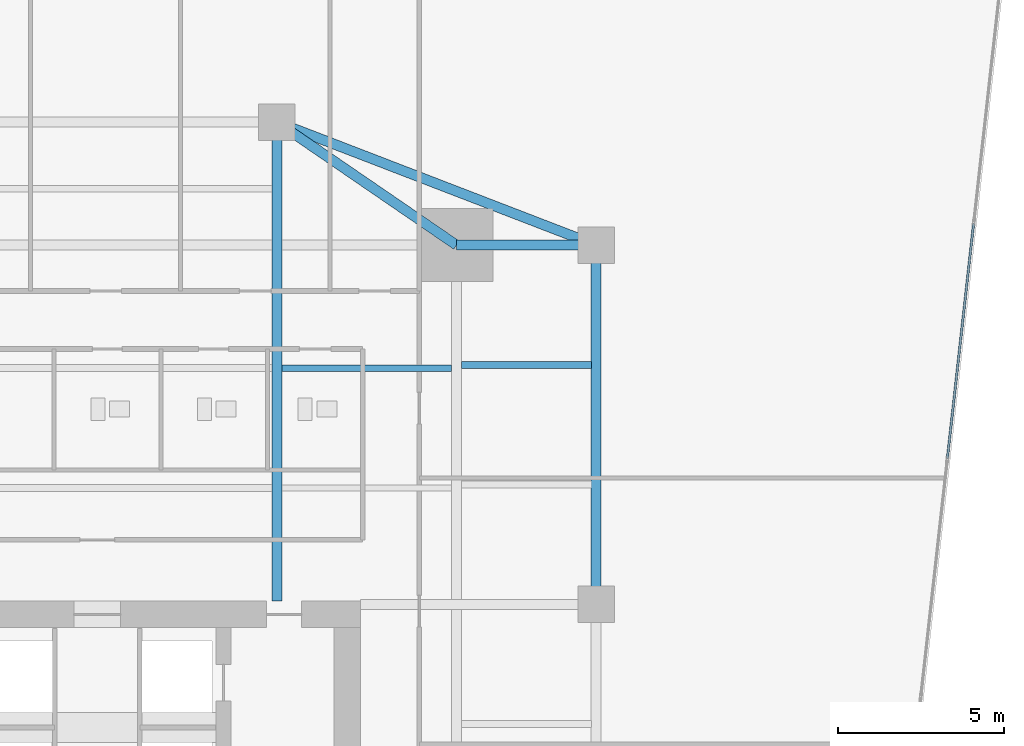
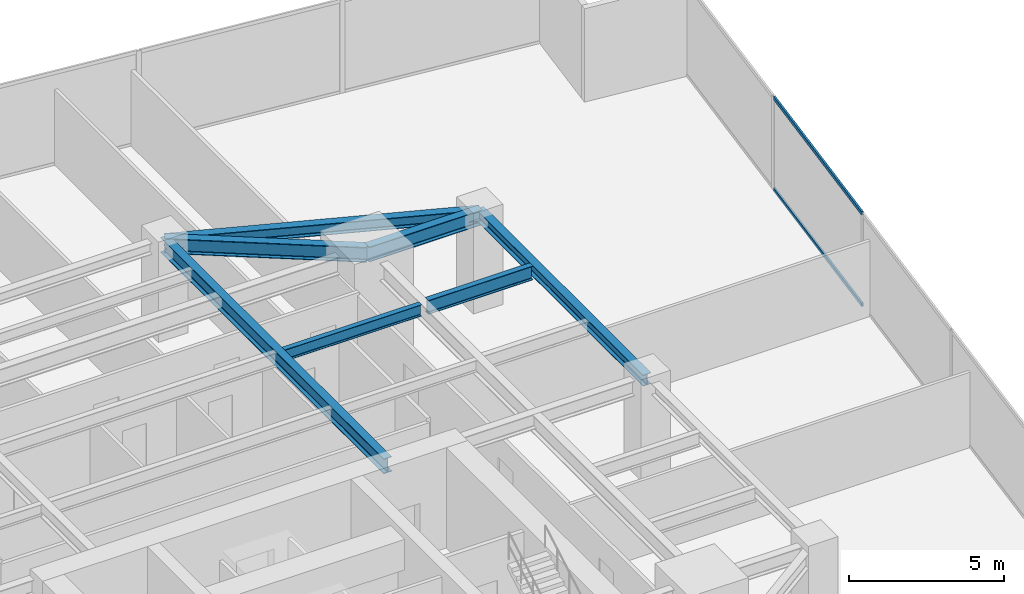
# One storey, part 20 of 29: 7 beams, 2 members, 1 element without a shape of its own.
"""IFC4 building model written with IfcOpenShell, lengths in metres."""

from ifc_helpers import new_model, si_unit, direction, frame, origin, origin_2d, place, context, subcontext, project, spatial, hollow_rectangle, i_section, extrude, source, transform, mapped, material, material_profile, profile_set, type_object, type_shapes, element, aggregate, save


model = new_model("IFC4")

# Units and contexts
model_context = context("Model", 3, precision=1e-05, world=origin(), true_north=direction((0.0, 1.0)))
body_context = subcontext(model_context, "Body", "Model", "MODEL_VIEW")
ifc_project = project(units=[si_unit("LENGTHUNIT", "METRE"), si_unit("AREAUNIT", "SQUARE_METRE"), si_unit("VOLUMEUNIT", "CUBIC_METRE"), si_unit("PLANEANGLEUNIT", "RADIAN"), si_unit("MASSUNIT", "GRAM", prefix="KILO")], contexts=[model_context])

# Site, building, storey
site_placement = place(None, origin())
site = spatial("IfcSite", under=ifc_project, at=site_placement, CompositionType="ELEMENT")
building_placement = place(site_placement, origin())
building = spatial("IfcBuilding", under=site, at=building_placement, Name="Krantzveldt Concourse Tower", CompositionType="ELEMENT")
storey_placement = place(building_placement, frame((0.0, 0.0, 60.550048828125)))
storey = spatial("IfcBuildingStorey", under=building, at=storey_placement, Name="L14", CompositionType="ELEMENT", Elevation=60.550048828125)

# Beams
ifc_material_1 = material(Name="Steel S355JR", Category="steel")
ifc_material_profile_1 = material_profile(ifc_material_1, i_section(OverallWidth=0.300048828125, OverallDepth=0.590087890625, WebThickness=0.012939453125, FlangeThickness=0.02490234375, FilletRadius=0.027099609375, at=origin_2d()), Name="Steel S355JR", Category="steel")
ifc_profile_set_1 = profile_set([ifc_material_profile_1], Name="Steel S355JR - HEA 600")
beam_type_1 = type_object("IfcBeamType", Name="BM-B-HEA600", PredefinedType="BEAM", material=ifc_profile_set_1)
shared_shape_1 = source(origin(), body_context, "Body", "SweptSolid", [
    extrude(i_section(OverallWidth=0.300048828125, OverallDepth=0.590087890625, WebThickness=0.012939453125, FlangeThickness=0.02490234375, FilletRadius=0.027099609375, at=origin_2d()), origin(), (0.0, 0.0, 1.0), 14.39990234375),
])
beam_1_placement = place(storey_placement, frame((41.39990234375, 26.800048828125, 3.375), z_axis=(0.0, 1.0, 0.0), x_axis=(-1.0, 0.0, 0.0)))
element("IfcBeam", 1, at=beam_1_placement, inside=storey, type_object=beam_type_1, Name="L14 Tower Girder BG-CNE", PredefinedType="BEAM", context=body_context, shape_type="MappedRepresentation", body=[
    mapped(shared_shape_1, transform((0.0, 0.0, 0.0), x_axis=(1.0, 0.0, 0.0), y_axis=(0.0, 1.0, 0.0), z_axis=(0.0, 0.0, 1.0), scale=1.0)),
])
ifc_material_profile_2 = material_profile(ifc_material_1, i_section(OverallWidth=0.300048828125, OverallDepth=0.43994140625, WebThickness=0.011474609375, FlangeThickness=0.02099609375, FilletRadius=0.027099609375, at=origin_2d()), Name="Steel S355JR", Category="steel")
ifc_profile_set_2 = profile_set([ifc_material_profile_2], Name="Steel S355JR - HEA 450")
beam_type_2 = type_object("IfcBeamType", Name="BM-SP-HEA450", PredefinedType="SPANDREL", material=ifc_profile_set_2)
shared_shape_2 = source(origin(), body_context, "Body", "SweptSolid", [
    extrude(i_section(OverallWidth=0.300048828125, OverallDepth=0.43994140625, WebThickness=0.011474609375, FlangeThickness=0.02099609375, FilletRadius=0.027099609375, at=origin_2d()), origin(), (0.0, 0.0, 1.0), 10.800048828125),
])
beam_2_placement = place(storey_placement, frame((51.0, 37.5, 3.449951171875), z_axis=(0.0, -1.0, 0.0), x_axis=(1.0, 0.0, 0.0)))
element("IfcBeam", 2, at=beam_2_placement, inside=storey, type_object=beam_type_2, Name="L14 Tower Girder SP-R06", PredefinedType="SPANDREL", context=body_context, shape_type="MappedRepresentation", body=[
    mapped(shared_shape_2, transform((0.0, 0.0, 0.0), x_axis=(1.0, 0.0, 0.0), y_axis=(0.0, 1.0, 0.0), z_axis=(0.0, 0.0, 1.0), scale=1.0)),
])
shared_shape_3 = source(origin(), body_context, "Body", "SweptSolid", [
    extrude(i_section(OverallWidth=0.300048828125, OverallDepth=0.43994140625, WebThickness=0.011474609375, FlangeThickness=0.02099609375, FilletRadius=0.027099609375, at=origin_2d()), origin(), (0.0, 0.0, 1.0), 10.288330078125),
])
type_shapes(beam_type_2, [shared_shape_2, shared_shape_3])
beam_3_placement = place(storey_placement, frame((41.39990234375, 41.199951171875, 3.449951171875), z_axis=(0.933097690408, -0.359622997257, 0.0), x_axis=(0.359622997257, 0.933097690408, 0.0)))
element("IfcBeam", 3, at=beam_3_placement, inside=storey, type_object=beam_type_2, Name="L14 Tower Girder SP-R05", PredefinedType="SPANDREL", context=body_context, shape_type="MappedRepresentation", body=[
    mapped(shared_shape_3, transform((0.0, 0.0, 0.0), x_axis=(1.0, 0.0, 0.0), y_axis=(0.0, 1.0, 0.0), z_axis=(0.0, 0.0, 1.0), scale=1.0)),
])
shared_shape_4 = source(origin(), body_context, "Body", "SweptSolid", [
    extrude(i_section(OverallWidth=0.300048828125, OverallDepth=0.590087890625, WebThickness=0.012939453125, FlangeThickness=0.02490234375, FilletRadius=0.027099609375, at=origin_2d()), origin(), (0.0, 0.0, 1.0), 4.199951171875),
])
beam_4_placement = place(storey_placement, frame((46.800048828125, 37.5, 3.375), z_axis=(1.0, 0.0, 0.0), x_axis=(0.0, 1.0, 0.0)))
element("IfcBeam", 4, at=beam_4_placement, inside=storey, type_object=beam_type_1, Name="L14 Tower Girder BR-RR3", PredefinedType="BEAM", context=body_context, shape_type="MappedRepresentation", body=[
    mapped(shared_shape_4, transform((0.0, 0.0, 0.0), x_axis=(1.0, 0.0, 0.0), y_axis=(0.0, 1.0, 0.0), z_axis=(0.0, 0.0, 1.0), scale=1.0)),
])
shared_shape_5 = source(origin(), body_context, "Body", "SweptSolid", [
    extrude(i_section(OverallWidth=0.300048828125, OverallDepth=0.590087890625, WebThickness=0.012939453125, FlangeThickness=0.02490234375, FilletRadius=0.027099609375, at=origin_2d()), origin(), (0.0, 0.0, 1.0), 6.546142578125),
])
type_shapes(beam_type_1, [shared_shape_1, shared_shape_4, shared_shape_5])
beam_5_placement = place(storey_placement, frame((46.800048828125, 37.5, 3.375), z_axis=(-0.824942999484, 0.565215930068, 0.0), x_axis=(-0.565215930068, -0.824942999484, 0.0)))
element("IfcBeam", 5, at=beam_5_placement, inside=storey, type_object=beam_type_1, Name="L14 Tower Girder BR-RR4", PredefinedType="BEAM", context=body_context, shape_type="MappedRepresentation", body=[
    mapped(shared_shape_5, transform((0.0, 0.0, 0.0), x_axis=(1.0, 0.0, 0.0), y_axis=(0.0, 1.0, 0.0), z_axis=(0.0, 0.0, 1.0), scale=1.0)),
])
ifc_material_profile_3 = material_profile(ifc_material_1, i_section(OverallWidth=0.18994140625, OverallDepth=0.449951171875, WebThickness=0.009521484375, FlangeThickness=0.0146484375, FilletRadius=0.02099609375, at=origin_2d()), Name="Steel S355JR", Category="steel")
ifc_profile_set_3 = profile_set([ifc_material_profile_3], Name="Steel S355JR - IPE 450")
beam_type_3 = type_object("IfcBeamType", Name="BM-J-IPE450", PredefinedType="JOIST", material=ifc_profile_set_3)
shared_shape_6 = source(origin(), body_context, "Body", "SweptSolid", [
    extrude(i_section(OverallWidth=0.18994140625, OverallDepth=0.449951171875, WebThickness=0.009521484375, FlangeThickness=0.0146484375, FilletRadius=0.02099609375, at=origin_2d()), origin(), (0.0, 0.0, 1.0), 5.099853515625),
])
type_shapes(beam_type_3, [shared_shape_6])
beam_6_placement = place(storey_placement, frame((41.550048828125, 33.800048828125, 3.445068359375), z_axis=(1.0, 0.0, 0.0), x_axis=(0.0, 1.0, 0.0)))
element("IfcBeam", 6, at=beam_6_placement, inside=storey, type_object=beam_type_3, Name="L14 Secondary Floor Joist JN-E2", PredefinedType="JOIST", context=body_context, shape_type="MappedRepresentation", body=[
    mapped(shared_shape_6, transform((0.0, 0.0, 0.0), x_axis=(1.0, 0.0, 0.0), y_axis=(0.0, 1.0, 0.0), z_axis=(0.0, 0.0, 1.0), scale=1.0)),
])
ifc_material_profile_4 = material_profile(ifc_material_1, i_section(OverallWidth=0.2099609375, OverallDepth=0.550048828125, WebThickness=0.010986328125, FlangeThickness=0.01708984375, FilletRadius=0.02392578125, at=origin_2d()), Name="Steel S355JR", Category="steel")
ifc_profile_set_4 = profile_set([ifc_material_profile_4], Name="Steel S355JR - IPE 550")
beam_type_4 = type_object("IfcBeamType", Name="BM-J-IPE550", PredefinedType="JOIST", material=ifc_profile_set_4)
shared_shape_7 = source(origin(), body_context, "Body", "SweptSolid", [
    extrude(i_section(OverallWidth=0.2099609375, OverallDepth=0.550048828125, WebThickness=0.010986328125, FlangeThickness=0.01708984375, FilletRadius=0.02392578125, at=origin_2d()), origin(), (0.0, 0.0, 1.0), 3.900146484375),
])
type_shapes(beam_type_4, [shared_shape_7])
beam_7_placement = place(storey_placement, frame((46.949951171875, 33.89990234375, 3.39501953125), z_axis=(1.0, 0.0, 0.0), x_axis=(0.0, 1.0, 0.0)))
element("IfcBeam", 7, at=beam_7_placement, inside=storey, type_object=beam_type_4, Name="L14 Secondary Floor Joist JE-4", PredefinedType="JOIST", context=body_context, shape_type="MappedRepresentation", body=[
    mapped(shared_shape_7, transform((0.0, 0.0, 0.0), x_axis=(1.0, 0.0, 0.0), y_axis=(0.0, 1.0, 0.0), z_axis=(0.0, 0.0, 1.0), scale=1.0)),
])

# Curtain wall, members
ifc_material_2 = material(Name="Anodised aluminium 6063-T6", Category="aluminium")
curtain_wall_type = type_object("IfcCurtainWallType", Name="CW2", PredefinedType="USERDEFINED", material=ifc_material_2)
curtain_wall_placement = place(storey_placement, origin())
curtain_wall = element("IfcCurtainWall", 8, at=curtain_wall_placement, inside=storey, type_object=curtain_wall_type, Name="CW-L14-F07", ObjectType="UNITISED CURTAIN WALL", PredefinedType="USERDEFINED")
ifc_material_profile_5 = material_profile(ifc_material_2, hollow_rectangle(XDim=0.070068359375, YDim=0.139892578125, WallThickness=0.0048828125, at=origin_2d()), Name="Anodised aluminium 6063-T6", Category="aluminium")
ifc_profile_set_5 = profile_set([ifc_material_profile_5], Name="Anodised aluminium 6063-T6 - ALU-TRAN 140x70x5")
member_type = type_object("IfcMemberType", Name="CW-TRN-150", PredefinedType="USERDEFINED", material=ifc_profile_set_5)
shared_shape_8 = source(origin(), body_context, "Body", "SweptSolid", [
    extrude(hollow_rectangle(XDim=0.070068359375, YDim=0.139892578125, WallThickness=0.0048828125, at=origin_2d()), origin(), (0.0, 0.0, 1.0), 7.0966796875),
])
type_shapes(member_type, [shared_shape_8])
member_1_placement = place(storey_placement, frame((61.5556640625, 31.09130859375, 0.034912109375), z_axis=(0.111016768449, 0.993818533296, 0.0), x_axis=(-0.993818533296, 0.111016768449, 0.0)))
member_1 = element("IfcMember", 9, at=member_1_placement, type_object=member_type, Name="CW-Z12 transom 5.1", ObjectType="TRANSOM", PredefinedType="USERDEFINED", context=body_context, shape_type="MappedRepresentation", body=[
    mapped(shared_shape_8, transform((0.0, 0.0, 0.0), x_axis=(1.0, 0.0, 0.0), y_axis=(0.0, 1.0, 0.0), z_axis=(0.0, 0.0, 1.0), scale=1.0)),
])
member_2_placement = place(storey_placement, frame((61.5556640625, 31.09130859375, 3.635009765625), z_axis=(0.111016768449, 0.993818533296, 0.0), x_axis=(-0.993818533296, 0.111016768449, 0.0)))
member_2 = element("IfcMember", 10, at=member_2_placement, type_object=member_type, Name="CW-Z12 transom 5.2", ObjectType="TRANSOM", PredefinedType="USERDEFINED", context=body_context, shape_type="MappedRepresentation", body=[
    mapped(shared_shape_8, transform((0.0, 0.0, 0.0), x_axis=(1.0, 0.0, 0.0), y_axis=(0.0, 1.0, 0.0), z_axis=(0.0, 0.0, 1.0), scale=1.0)),
])
aggregate(curtain_wall, [member_1, member_2])

save(model, "model.ifc")
